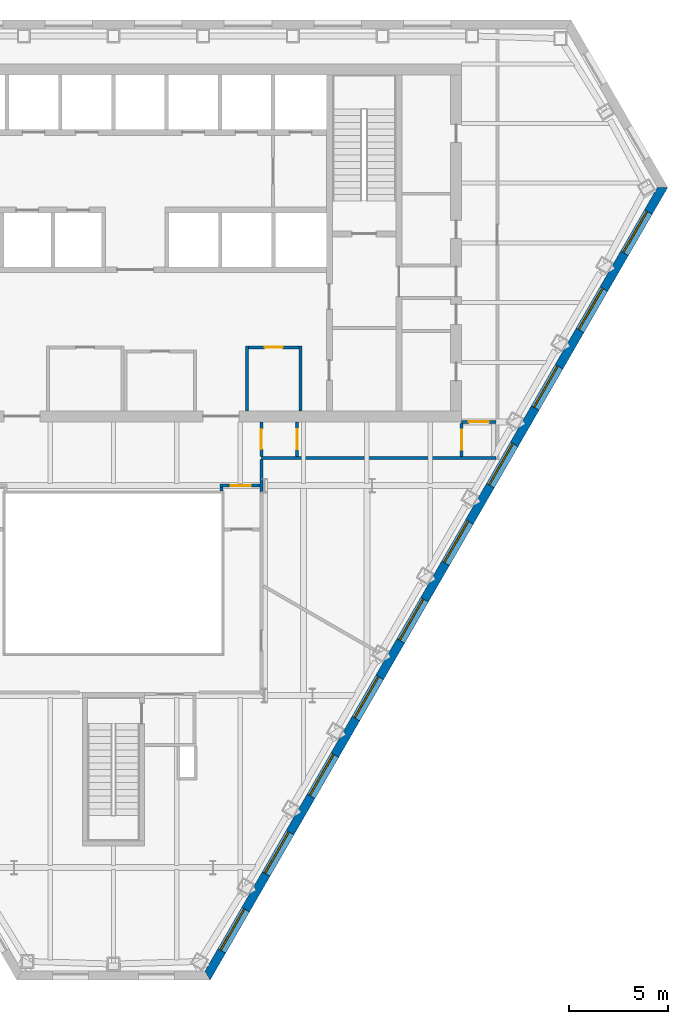
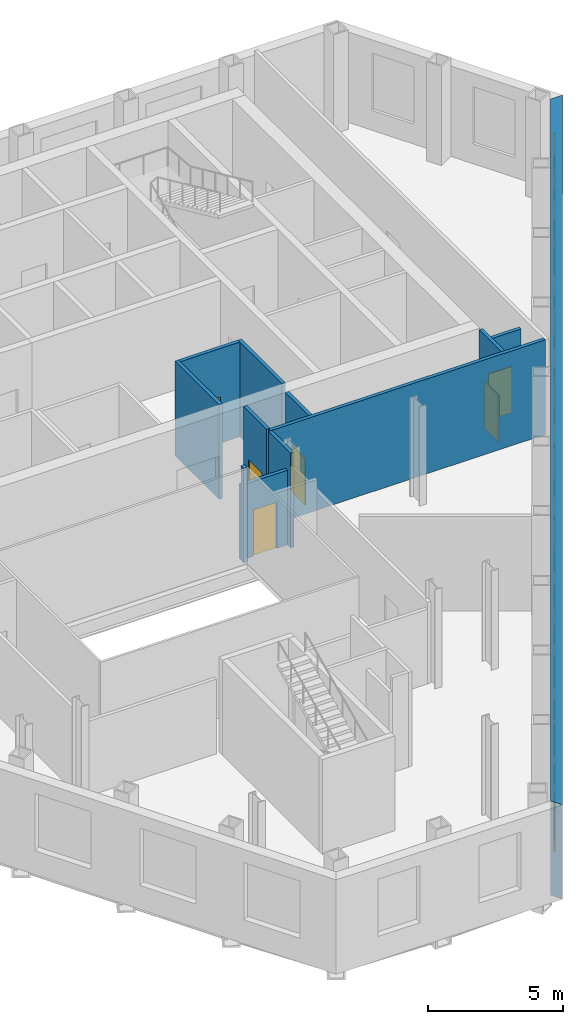
# One storey, part 6 of 12: 12 walls, 10 windows, 6 doors, 16 openings.
"""IFC4 building model written with IfcOpenShell, lengths in metres."""

from ifc_helpers import new_model, si_unit, direction, frame, frame_2d, origin, place, context, subcontext, project, spatial, polyline, rectangle, outline, extrude, material, layer, layer_set, type_object, element, fill, save


model = new_model("IFC4")

# Units and contexts
model_context = context("Model", 3, precision=1e-05, world=origin(), true_north=direction((0.0, 1.0)))
body_context = subcontext(model_context, "Body", "Model", "MODEL_VIEW")
ifc_project = project(units=[si_unit("LENGTHUNIT", "METRE"), si_unit("AREAUNIT", "SQUARE_METRE"), si_unit("VOLUMEUNIT", "CUBIC_METRE"), si_unit("PLANEANGLEUNIT", "RADIAN"), si_unit("MASSUNIT", "GRAM", prefix="KILO")], contexts=[model_context])

# Site, building, storey
site_placement = place(None, origin())
site = spatial("IfcSite", under=ifc_project, at=site_placement, CompositionType="ELEMENT")
building_placement = place(site_placement, origin())
building = spatial("IfcBuilding", under=site, at=building_placement, Name="Njiva Tower", CompositionType="ELEMENT")
storey_placement = place(building_placement, frame((0.0, 0.0, 111.3)))
storey = spatial("IfcBuildingStorey", under=building, at=storey_placement, Name="L23", CompositionType="ELEMENT", Elevation=111.3)

# Walls
ifc_material_1 = material(Name="Blockwork", Category="masonry")
ifc_layer_1 = layer(ifc_material_1, 0.15)
ifc_layer_set_1 = layer_set([ifc_layer_1], Name="Blockwork")
wall_type_1 = type_object("IfcWallType", Name="WT1 Compartment partition 150", PredefinedType="PARTITIONING", material=ifc_layer_set_1)
for number, where, z_axis, x_axis, name in (
    (1, (6.7, 0.55, 0.0), (0.0, 0.0, 1.0), (0.0, 1.0, 0.0), "Post room wall west"),
    (2, (9.4, 0.55, 0.0), (0.0, 0.0, 1.0), (0.0, 1.0, 0.0), "Post room wall east"),
):
    element("IfcWall", number, at=place(storey_placement, frame(where, z_axis=z_axis, x_axis=x_axis)), inside=storey, type_object=wall_type_1, Name=name, PredefinedType="PARTITIONING", context=body_context, shape_type="SweptSolid", body=[
        extrude(rectangle(XDim=3.275, YDim=0.15, at=frame_2d((1.6375, 0.0))), origin(), (0.0, 0.0, 1.0), 4.3),
    ])

# Wall, opening, door
wall_1_placement = place(storey_placement, frame((6.775, 3.75, 0.0), z_axis=(0.0, 0.0, 1.0), x_axis=(1.0, 0.0, 0.0)))
wall_1 = element("IfcWall", 3, at=wall_1_placement, inside=storey, type_object=wall_type_1, Name="Post room wall north", PredefinedType="PARTITIONING", context=body_context, shape_type="SweptSolid", body=[
    extrude(rectangle(XDim=2.55, YDim=0.15, at=frame_2d((1.275, 0.0))), origin(), (0.0, 0.0, 1.0), 4.3),
])
opening_1_placement = place(wall_1_placement, frame((0.825, 0.0, 0.0)))
opening_1 = element("IfcOpeningElement", 4, at=opening_1_placement, cuts=wall_1, Name="Opening S08-D935", PredefinedType="OPENING", context=body_context, shape_type="SweptSolid", body=[
    extrude(rectangle(XDim=0.9, YDim=2.1, at=frame_2d((0.45, 1.05))), frame((0.0, 0.085, 0.0), z_axis=(0.0, -1.0, 0.0), x_axis=(1.0, 0.0, 0.0)), (0.0, 0.0, 1.0), 0.17),
])
ifc_material_2 = material(Name="Steel fire door, painted", Category="steel")
door_type_1 = type_object("IfcDoorType", Name="D6 Fire-rated door 900x2100", OperationType="SINGLE_SWING_LEFT", PredefinedType="DOOR", material=ifc_material_2)
door_1_placement = place(opening_1_placement, origin())
door_1 = element("IfcDoor", 5, at=door_1_placement, inside=storey, type_object=door_type_1, Name="Post room door", OperationType="SINGLE_SWING_RIGHT", OverallHeight=2.1, OverallWidth=0.9, PredefinedType="DOOR", context=body_context, shape_type="SweptSolid", body=[
    extrude(rectangle(XDim=0.9, YDim=2.1, at=frame_2d((0.45, 1.05))), frame((0.0, 0.025, 0.0), z_axis=(0.0, -1.0, 0.0), x_axis=(1.0, 0.0, 0.0)), (0.0, 0.0, 1.0), 0.05),
])
fill(opening_1, door_1)

ifc_material_3 = material(Name="Gypsum board on steel studs", Category="gypsum")
ifc_layer_2 = layer(ifc_material_3, 0.15)
ifc_layer_set_2 = layer_set([ifc_layer_2], Name="Gypsum board on steel studs")
wall_type_2 = type_object("IfcWallType", Name="WT21 Compartment wall 150", PredefinedType="PARTITIONING", material=ifc_layer_set_2)
wall_2_placement = place(storey_placement, frame((5.355, -3.2, 0.0), z_axis=(0.0, 0.0, 1.0), x_axis=(1.0, 0.0, 0.0)))
wall_2 = element("IfcWall", 6, at=wall_2_placement, inside=storey, type_object=wall_type_2, Name="Partition S08-P016", PredefinedType="PARTITIONING", context=body_context, shape_type="SweptSolid", body=[
    extrude(rectangle(XDim=2.0, YDim=0.15, at=frame_2d((1.0, 0.0))), origin(), (0.0, 0.0, 1.0), 3.39),
])
opening_2_placement = place(wall_2_placement, frame((0.538, 0.0, 0.0)))
opening_2 = element("IfcOpeningElement", 7, at=opening_2_placement, cuts=wall_2, Name="Opening S08-D011", PredefinedType="OPENING", context=body_context, shape_type="SweptSolid", body=[
    extrude(rectangle(XDim=1.0, YDim=2.1, at=frame_2d((0.5, 1.05))), frame((0.0, 0.085, 0.0), z_axis=(0.0, -1.0, 0.0), x_axis=(1.0, 0.0, 0.0)), (0.0, 0.0, 1.0), 0.17),
])
ifc_material_4 = material(Name="Steel fire door set", Category="steel")
door_type_2 = type_object("IfcDoorType", Name="D37 Fire door 1000x2100", OperationType="SINGLE_SWING_LEFT", PredefinedType="DOOR", material=ifc_material_4)
door_2_placement = place(opening_2_placement, origin())
door_2 = element("IfcDoor", 8, at=door_2_placement, inside=storey, type_object=door_type_2, Name="Door S08-D011", OperationType="SINGLE_SWING_LEFT", OverallHeight=2.1, OverallWidth=1.0, PredefinedType="DOOR", context=body_context, shape_type="SweptSolid", body=[
    extrude(rectangle(XDim=1.0, YDim=2.1, at=frame_2d((0.5, 1.05))), frame((0.0, 0.025, 0.0), z_axis=(0.0, -1.0, 0.0), x_axis=(1.0, 0.0, 0.0)), (0.0, 0.0, 1.0), 0.05),
])
fill(opening_2, door_2)

# Walls
wall_3_placement = place(storey_placement, frame((5.43, -3.48, 0.0), z_axis=(0.0, 0.0, 1.0), x_axis=(0.0, 1.0, 0.0)))
element("IfcWall", 9, at=wall_3_placement, inside=storey, type_object=wall_type_2, Name="Partition S08-P017", PredefinedType="PARTITIONING", context=body_context, shape_type="SweptSolid", body=[
    extrude(rectangle(XDim=0.205, YDim=0.15, at=frame_2d((0.1025, 0.0))), origin(), (0.0, 0.0, 1.0), 4.3),
])
wall_4_placement = place(storey_placement, frame((7.43, -3.508, 0.0), z_axis=(0.0, 0.0, 1.0), x_axis=(0.0, 1.0, 0.0)))
element("IfcWall", 10, at=wall_4_placement, inside=storey, type_object=wall_type_2, Name="Partition S08-P019A", PredefinedType="PARTITIONING", context=body_context, shape_type="SweptSolid", body=[
    extrude(rectangle(XDim=1.633, YDim=0.15, at=frame_2d((0.8165, 0.0))), origin(), (0.0, 0.0, 1.0), 4.3),
])

# Wall, opening, door
wall_5_placement = place(storey_placement, frame((7.43, -1.725, 0.0), z_axis=(0.0, 0.0, 1.0), x_axis=(0.0, 1.0, 0.0)))
wall_5 = element("IfcWall", 11, at=wall_5_placement, inside=storey, type_object=wall_type_2, Name="Partition S08-P020", PredefinedType="PARTITIONING", context=body_context, shape_type="SweptSolid", body=[
    extrude(rectangle(XDim=1.725, YDim=0.15, at=frame_2d((0.8625, 0.0))), origin(), (0.0, 0.0, 1.0), 4.3),
])
opening_3_placement = place(wall_5_placement, frame((0.363, 0.0, 0.0)))
opening_3 = element("IfcOpeningElement", 12, at=opening_3_placement, cuts=wall_5, Name="Opening S08-D014", PredefinedType="OPENING", context=body_context, shape_type="SweptSolid", body=[
    extrude(rectangle(XDim=1.0, YDim=2.1, at=frame_2d((0.5, 1.05))), frame((0.0, 0.085, 0.0), z_axis=(0.0, -1.0, 0.0), x_axis=(1.0, 0.0, 0.0)), (0.0, 0.0, 1.0), 0.17),
])
door_3_placement = place(opening_3_placement, origin())
door_3 = element("IfcDoor", 13, at=door_3_placement, inside=storey, type_object=door_type_2, Name="Door S08-D014", OperationType="SINGLE_SWING_RIGHT", OverallHeight=2.1, OverallWidth=1.0, PredefinedType="DOOR", context=body_context, shape_type="SweptSolid", body=[
    extrude(rectangle(XDim=1.0, YDim=2.1, at=frame_2d((0.5, 1.05))), frame((0.0, 0.025, 0.0), z_axis=(0.0, -1.0, 0.0), x_axis=(1.0, 0.0, 0.0)), (0.0, 0.0, 1.0), 0.05),
])
fill(opening_3, door_3)

# Wall
wall_6_placement = place(storey_placement, frame((7.435, -1.8, 0.0), z_axis=(0.0, 0.0, 1.0), x_axis=(1.0, 0.0, 0.0)))
element("IfcWall", 14, at=wall_6_placement, inside=storey, type_object=wall_type_2, Name="Partition S08-P021", PredefinedType="PARTITIONING", context=body_context, shape_type="SweptSolid", body=[
    extrude(rectangle(XDim=11.79, YDim=0.15, at=frame_2d((5.895, 0.0))), origin(), (0.0, 0.0, 1.0), 4.3),
])

# Wall, opening, door
wall_7_placement = place(storey_placement, frame((9.23, -1.725, 0.0), z_axis=(0.0, 0.0, 1.0), x_axis=(0.0, 1.0, 0.0)))
wall_7 = element("IfcWall", 15, at=wall_7_placement, inside=storey, type_object=wall_type_2, Name="Partition S08-P023", PredefinedType="PARTITIONING", context=body_context, shape_type="SweptSolid", body=[
    extrude(rectangle(XDim=1.725, YDim=0.15, at=frame_2d((0.8625, 0.0))), origin(), (0.0, 0.0, 1.0), 4.3),
])
opening_4_placement = place(wall_7_placement, frame((0.363, 0.0, 0.0)))
opening_4 = element("IfcOpeningElement", 16, at=opening_4_placement, cuts=wall_7, Name="Opening S08-D015", PredefinedType="OPENING", context=body_context, shape_type="SweptSolid", body=[
    extrude(rectangle(XDim=1.0, YDim=2.1, at=frame_2d((0.5, 1.05))), frame((0.0, 0.085, 0.0), z_axis=(0.0, -1.0, 0.0), x_axis=(1.0, 0.0, 0.0)), (0.0, 0.0, 1.0), 0.17),
])
door_4_placement = place(opening_4_placement, origin())
door_4 = element("IfcDoor", 17, at=door_4_placement, inside=storey, type_object=door_type_2, Name="Door S08-D015", OperationType="SINGLE_SWING_RIGHT", OverallHeight=2.1, OverallWidth=1.0, PredefinedType="DOOR", context=body_context, shape_type="SweptSolid", body=[
    extrude(rectangle(XDim=1.0, YDim=2.1, at=frame_2d((0.5, 1.05))), frame((0.0, 0.025, 0.0), z_axis=(0.0, -1.0, 0.0), x_axis=(1.0, 0.0, 0.0)), (0.0, 0.0, 1.0), 0.05),
])
fill(opening_4, door_4)

wall_8_placement = place(storey_placement, frame((17.5, -1.725, 0.0), z_axis=(0.0, 0.0, 1.0), x_axis=(0.0, 1.0, 0.0)))
wall_8 = element("IfcWall", 18, at=wall_8_placement, inside=storey, type_object=wall_type_2, Name="Partition S08-P024", PredefinedType="PARTITIONING", context=body_context, shape_type="SweptSolid", body=[
    extrude(rectangle(XDim=1.65, YDim=0.15, at=frame_2d((0.825, 0.0))), origin(), (0.0, 0.0, 1.0), 4.3),
])
opening_5_placement = place(wall_8_placement, frame((0.325, 0.0, 0.0)))
opening_5 = element("IfcOpeningElement", 19, at=opening_5_placement, cuts=wall_8, Name="Opening S08-D016", PredefinedType="OPENING", context=body_context, shape_type="SweptSolid", body=[
    extrude(rectangle(XDim=1.0, YDim=2.1, at=frame_2d((0.5, 1.05))), frame((0.0, 0.085, 0.0), z_axis=(0.0, -1.0, 0.0), x_axis=(1.0, 0.0, 0.0)), (0.0, 0.0, 1.0), 0.17),
])
door_5_placement = place(opening_5_placement, origin())
door_5 = element("IfcDoor", 20, at=door_5_placement, inside=storey, type_object=door_type_2, Name="Door S08-D016", OperationType="SINGLE_SWING_RIGHT", OverallHeight=2.1, OverallWidth=1.0, PredefinedType="DOOR", context=body_context, shape_type="SweptSolid", body=[
    extrude(rectangle(XDim=1.0, YDim=2.1, at=frame_2d((0.5, 1.05))), frame((0.0, 0.025, 0.0), z_axis=(0.0, -1.0, 0.0), x_axis=(1.0, 0.0, 0.0)), (0.0, 0.0, 1.0), 0.05),
])
fill(opening_5, door_5)

wall_9_placement = place(storey_placement, frame((17.5, 0.0, 0.0), z_axis=(0.0, 0.0, 1.0), x_axis=(1.0, 0.0, 0.0)))
wall_9 = element("IfcWall", 21, at=wall_9_placement, inside=storey, type_object=wall_type_2, Name="Partition S08-P025", PredefinedType="PARTITIONING", context=body_context, shape_type="SweptSolid", body=[
    extrude(rectangle(XDim=1.725, YDim=0.15, at=frame_2d((0.8625, 0.0))), origin(), (0.0, 0.0, 1.0), 3.7),
])
opening_6_placement = place(wall_9_placement, frame((0.363, 0.0, 0.0)))
opening_6 = element("IfcOpeningElement", 22, at=opening_6_placement, cuts=wall_9, Name="Opening S08-D017", PredefinedType="OPENING", context=body_context, shape_type="SweptSolid", body=[
    extrude(rectangle(XDim=1.0, YDim=2.1, at=frame_2d((0.5, 1.05))), frame((0.0, 0.085, 0.0), z_axis=(0.0, -1.0, 0.0), x_axis=(1.0, 0.0, 0.0)), (0.0, 0.0, 1.0), 0.17),
])
door_6_placement = place(opening_6_placement, origin())
door_6 = element("IfcDoor", 23, at=door_6_placement, inside=storey, type_object=door_type_2, Name="Door S08-D017", OperationType="SINGLE_SWING_LEFT", OverallHeight=2.1, OverallWidth=1.0, PredefinedType="DOOR", context=body_context, shape_type="SweptSolid", body=[
    extrude(rectangle(XDim=1.0, YDim=2.1, at=frame_2d((0.5, 1.05))), frame((0.0, 0.025, 0.0), z_axis=(0.0, -1.0, 0.0), x_axis=(1.0, 0.0, 0.0)), (0.0, 0.0, 1.0), 0.05),
])
fill(opening_6, door_6)

# Wall, openings, windows
ifc_material_5 = material(Name="Brick masonry", Category="masonry")
ifc_layer_3 = layer(ifc_material_5, 0.45)
ifc_layer_set_3 = layer_set([ifc_layer_3], Name="Brick masonry")
wall_type_3 = type_object("IfcWallType", Name="WT90 Brick pier and spandrel wall 450", PredefinedType="SOLIDWALL", material=ifc_layer_set_3)
wall_10_placement = place(storey_placement, frame((4.7301, -27.8213, -0.18), z_axis=(0.0, 0.0, 1.0), x_axis=(0.500000141277, 0.866025322218, 0.0)))
wall_10 = element("IfcWall", 24, at=wall_10_placement, inside=storey, type_object=wall_type_3, Name="Facade wall SE", PredefinedType="SOLIDWALL", context=body_context, shape_type="SweptSolid", body=[
    extrude(outline(polyline([(-0.1299, -0.225), (45.8601, -0.225), (45.6003, 0.225), (0.1299, 0.225), (-0.1299, -0.225)])), origin(), (0.0, 0.0, 1.0), 4.28),
])
opening_7_placement = place(wall_10_placement, frame((1.4237, 0.0, 1.08)))
opening_7 = element("IfcOpeningElement", 25, at=opening_7_placement, cuts=wall_10, Name="Opening S08-W23", PredefinedType="OPENING", context=body_context, shape_type="SweptSolid", body=[
    extrude(rectangle(XDim=2.4, YDim=2.6, at=frame_2d((1.2, 1.3))), frame((0.0, 0.235, 0.0), z_axis=(0.0, -1.0, 0.0), x_axis=(1.0, 0.0, 0.0)), (0.0, 0.0, 1.0), 0.47),
])
opening_8_placement = place(wall_10_placement, frame((5.8919, 0.0, 1.08)))
opening_8 = element("IfcOpeningElement", 26, at=opening_8_placement, cuts=wall_10, Name="Opening S08-W24", PredefinedType="OPENING", context=body_context, shape_type="SweptSolid", body=[
    extrude(rectangle(XDim=2.4, YDim=2.6, at=frame_2d((1.2, 1.3))), frame((0.0, 0.235, 0.0), z_axis=(0.0, -1.0, 0.0), x_axis=(1.0, 0.0, 0.0)), (0.0, 0.0, 1.0), 0.47),
])
opening_9_placement = place(wall_10_placement, frame((10.3985, 0.0, 1.08)))
opening_9 = element("IfcOpeningElement", 27, at=opening_9_placement, cuts=wall_10, Name="Opening S08-W25", PredefinedType="OPENING", context=body_context, shape_type="SweptSolid", body=[
    extrude(rectangle(XDim=2.4, YDim=2.6, at=frame_2d((1.2, 1.3))), frame((0.0, 0.235, 0.0), z_axis=(0.0, -1.0, 0.0), x_axis=(1.0, 0.0, 0.0)), (0.0, 0.0, 1.0), 0.47),
])
opening_10_placement = place(wall_10_placement, frame((14.9052, 0.0, 1.08)))
opening_10 = element("IfcOpeningElement", 28, at=opening_10_placement, cuts=wall_10, Name="Opening S08-W26", PredefinedType="OPENING", context=body_context, shape_type="SweptSolid", body=[
    extrude(rectangle(XDim=2.4, YDim=2.6, at=frame_2d((1.2, 1.3))), frame((0.0, 0.235, 0.0), z_axis=(0.0, -1.0, 0.0), x_axis=(1.0, 0.0, 0.0)), (0.0, 0.0, 1.0), 0.47),
])
opening_11_placement = place(wall_10_placement, frame((19.4118, 0.0, 1.08)))
opening_11 = element("IfcOpeningElement", 29, at=opening_11_placement, cuts=wall_10, Name="Opening S08-W27", PredefinedType="OPENING", context=body_context, shape_type="SweptSolid", body=[
    extrude(rectangle(XDim=2.4, YDim=2.6, at=frame_2d((1.2, 1.3))), frame((0.0, 0.235, 0.0), z_axis=(0.0, -1.0, 0.0), x_axis=(1.0, 0.0, 0.0)), (0.0, 0.0, 1.0), 0.47),
])
opening_12_placement = place(wall_10_placement, frame((23.9184, 0.0, 1.08)))
opening_12 = element("IfcOpeningElement", 30, at=opening_12_placement, cuts=wall_10, Name="Opening S08-W28", PredefinedType="OPENING", context=body_context, shape_type="SweptSolid", body=[
    extrude(rectangle(XDim=2.4, YDim=2.6, at=frame_2d((1.2, 1.3))), frame((0.0, 0.235, 0.0), z_axis=(0.0, -1.0, 0.0), x_axis=(1.0, 0.0, 0.0)), (0.0, 0.0, 1.0), 0.47),
])
opening_13_placement = place(wall_10_placement, frame((28.425, 0.0, 1.08)))
opening_13 = element("IfcOpeningElement", 31, at=opening_13_placement, cuts=wall_10, Name="Opening S08-W29", PredefinedType="OPENING", context=body_context, shape_type="SweptSolid", body=[
    extrude(rectangle(XDim=2.4, YDim=2.6, at=frame_2d((1.2, 1.3))), frame((0.0, 0.235, 0.0), z_axis=(0.0, -1.0, 0.0), x_axis=(1.0, 0.0, 0.0)), (0.0, 0.0, 1.0), 0.47),
])
opening_14_placement = place(wall_10_placement, frame((32.9316, 0.0, 1.08)))
opening_14 = element("IfcOpeningElement", 32, at=opening_14_placement, cuts=wall_10, Name="Opening S08-W30", PredefinedType="OPENING", context=body_context, shape_type="SweptSolid", body=[
    extrude(rectangle(XDim=2.4, YDim=2.6, at=frame_2d((1.2, 1.3))), frame((0.0, 0.235, 0.0), z_axis=(0.0, -1.0, 0.0), x_axis=(1.0, 0.0, 0.0)), (0.0, 0.0, 1.0), 0.47),
])
opening_15_placement = place(wall_10_placement, frame((37.4383, 0.0, 1.08)))
opening_15 = element("IfcOpeningElement", 33, at=opening_15_placement, cuts=wall_10, Name="Opening S08-W31", PredefinedType="OPENING", context=body_context, shape_type="SweptSolid", body=[
    extrude(rectangle(XDim=2.4, YDim=2.6, at=frame_2d((1.2, 1.3))), frame((0.0, 0.235, 0.0), z_axis=(0.0, -1.0, 0.0), x_axis=(1.0, 0.0, 0.0)), (0.0, 0.0, 1.0), 0.47),
])
opening_16_placement = place(wall_10_placement, frame((41.9065, 0.0, 1.08)))
opening_16 = element("IfcOpeningElement", 34, at=opening_16_placement, cuts=wall_10, Name="Opening S08-W32", PredefinedType="OPENING", context=body_context, shape_type="SweptSolid", body=[
    extrude(rectangle(XDim=2.4, YDim=2.6, at=frame_2d((1.2, 1.3))), frame((0.0, 0.235, 0.0), z_axis=(0.0, -1.0, 0.0), x_axis=(1.0, 0.0, 0.0)), (0.0, 0.0, 1.0), 0.47),
])
ifc_material_6 = material(Name="Clear glazing in aluminium frame", Category="aluminium")
window_type = type_object("IfcWindowType", Name="W92 Deep-set window 2400x2600", PartitioningType="SINGLE_PANEL", PredefinedType="WINDOW", material=ifc_material_6)
window_1_placement = place(opening_7_placement, origin())
window_1 = element("IfcWindow", 35, at=window_1_placement, inside=storey, type_object=window_type, Name="Window", OverallHeight=2.6, OverallWidth=2.4, PartitioningType="SINGLE_PANEL", PredefinedType="WINDOW", context=body_context, shape_type="SweptSolid", body=[
    extrude(rectangle(XDim=2.4, YDim=2.6, at=frame_2d((1.2, 1.3))), frame((0.0, 0.105, 0.0), z_axis=(0.0, -1.0, 0.0), x_axis=(1.0, 0.0, 0.0)), (0.0, 0.0, 1.0), 0.06),
])
fill(opening_7, window_1)
window_2_placement = place(opening_8_placement, origin())
window_2 = element("IfcWindow", 36, at=window_2_placement, inside=storey, type_object=window_type, Name="Window", OverallHeight=2.6, OverallWidth=2.4, PartitioningType="SINGLE_PANEL", PredefinedType="WINDOW", context=body_context, shape_type="SweptSolid", body=[
    extrude(rectangle(XDim=2.4, YDim=2.6, at=frame_2d((1.2, 1.3))), frame((0.0, 0.105, 0.0), z_axis=(0.0, -1.0, 0.0), x_axis=(1.0, 0.0, 0.0)), (0.0, 0.0, 1.0), 0.06),
])
fill(opening_8, window_2)
window_3_placement = place(opening_9_placement, origin())
window_3 = element("IfcWindow", 37, at=window_3_placement, inside=storey, type_object=window_type, Name="Window", OverallHeight=2.6, OverallWidth=2.4, PartitioningType="SINGLE_PANEL", PredefinedType="WINDOW", context=body_context, shape_type="SweptSolid", body=[
    extrude(rectangle(XDim=2.4, YDim=2.6, at=frame_2d((1.2, 1.3))), frame((0.0, 0.105, 0.0), z_axis=(0.0, -1.0, 0.0), x_axis=(1.0, 0.0, 0.0)), (0.0, 0.0, 1.0), 0.06),
])
fill(opening_9, window_3)
window_4_placement = place(opening_10_placement, origin())
window_4 = element("IfcWindow", 38, at=window_4_placement, inside=storey, type_object=window_type, Name="Window", OverallHeight=2.6, OverallWidth=2.4, PartitioningType="SINGLE_PANEL", PredefinedType="WINDOW", context=body_context, shape_type="SweptSolid", body=[
    extrude(rectangle(XDim=2.4, YDim=2.6, at=frame_2d((1.2, 1.3))), frame((0.0, 0.105, 0.0), z_axis=(0.0, -1.0, 0.0), x_axis=(1.0, 0.0, 0.0)), (0.0, 0.0, 1.0), 0.06),
])
fill(opening_10, window_4)
window_5_placement = place(opening_11_placement, origin())
window_5 = element("IfcWindow", 39, at=window_5_placement, inside=storey, type_object=window_type, Name="Window", OverallHeight=2.6, OverallWidth=2.4, PartitioningType="SINGLE_PANEL", PredefinedType="WINDOW", context=body_context, shape_type="SweptSolid", body=[
    extrude(rectangle(XDim=2.4, YDim=2.6, at=frame_2d((1.2, 1.3))), frame((0.0, 0.105, 0.0), z_axis=(0.0, -1.0, 0.0), x_axis=(1.0, 0.0, 0.0)), (0.0, 0.0, 1.0), 0.06),
])
fill(opening_11, window_5)
window_6_placement = place(opening_12_placement, origin())
window_6 = element("IfcWindow", 40, at=window_6_placement, inside=storey, type_object=window_type, Name="Window", OverallHeight=2.6, OverallWidth=2.4, PartitioningType="SINGLE_PANEL", PredefinedType="WINDOW", context=body_context, shape_type="SweptSolid", body=[
    extrude(rectangle(XDim=2.4, YDim=2.6, at=frame_2d((1.2, 1.3))), frame((0.0, 0.105, 0.0), z_axis=(0.0, -1.0, 0.0), x_axis=(1.0, 0.0, 0.0)), (0.0, 0.0, 1.0), 0.06),
])
fill(opening_12, window_6)
window_7_placement = place(opening_13_placement, origin())
window_7 = element("IfcWindow", 41, at=window_7_placement, inside=storey, type_object=window_type, Name="Window", OverallHeight=2.6, OverallWidth=2.4, PartitioningType="SINGLE_PANEL", PredefinedType="WINDOW", context=body_context, shape_type="SweptSolid", body=[
    extrude(rectangle(XDim=2.4, YDim=2.6, at=frame_2d((1.2, 1.3))), frame((0.0, 0.105, 0.0), z_axis=(0.0, -1.0, 0.0), x_axis=(1.0, 0.0, 0.0)), (0.0, 0.0, 1.0), 0.06),
])
fill(opening_13, window_7)
window_8_placement = place(opening_14_placement, origin())
window_8 = element("IfcWindow", 42, at=window_8_placement, inside=storey, type_object=window_type, Name="Window", OverallHeight=2.6, OverallWidth=2.4, PartitioningType="SINGLE_PANEL", PredefinedType="WINDOW", context=body_context, shape_type="SweptSolid", body=[
    extrude(rectangle(XDim=2.4, YDim=2.6, at=frame_2d((1.2, 1.3))), frame((0.0, 0.105, 0.0), z_axis=(0.0, -1.0, 0.0), x_axis=(1.0, 0.0, 0.0)), (0.0, 0.0, 1.0), 0.06),
])
fill(opening_14, window_8)
window_9_placement = place(opening_15_placement, origin())
window_9 = element("IfcWindow", 43, at=window_9_placement, inside=storey, type_object=window_type, Name="Window", OverallHeight=2.6, OverallWidth=2.4, PartitioningType="SINGLE_PANEL", PredefinedType="WINDOW", context=body_context, shape_type="SweptSolid", body=[
    extrude(rectangle(XDim=2.4, YDim=2.6, at=frame_2d((1.2, 1.3))), frame((0.0, 0.105, 0.0), z_axis=(0.0, -1.0, 0.0), x_axis=(1.0, 0.0, 0.0)), (0.0, 0.0, 1.0), 0.06),
])
fill(opening_15, window_9)
window_10_placement = place(opening_16_placement, origin())
window_10 = element("IfcWindow", 44, at=window_10_placement, inside=storey, type_object=window_type, Name="Window", OverallHeight=2.6, OverallWidth=2.4, PartitioningType="SINGLE_PANEL", PredefinedType="WINDOW", context=body_context, shape_type="SweptSolid", body=[
    extrude(rectangle(XDim=2.4, YDim=2.6, at=frame_2d((1.2, 1.3))), frame((0.0, 0.105, 0.0), z_axis=(0.0, -1.0, 0.0), x_axis=(1.0, 0.0, 0.0)), (0.0, 0.0, 1.0), 0.06),
])
fill(opening_16, window_10)

save(model, "model.ifc")
